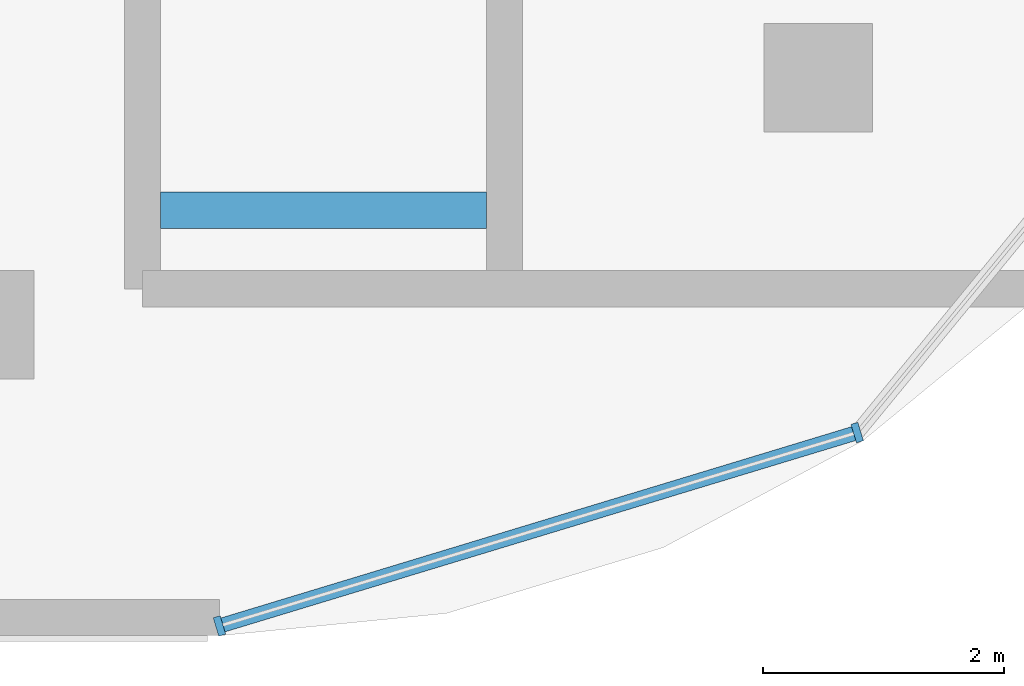
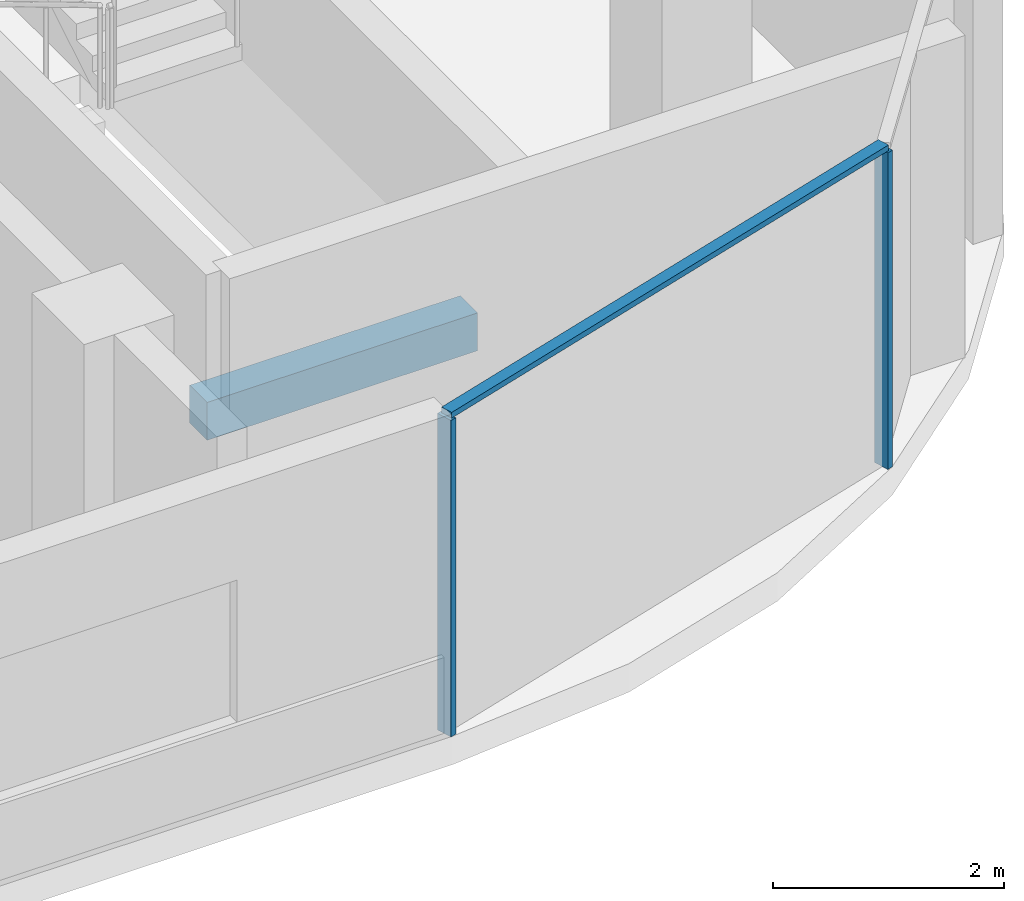
# One storey, part 3 of 18: 3 members, 1 beam, 1 element without a shape of its own.
"""IFC4 building model written with IfcOpenShell, lengths in metres."""

from ifc_helpers import new_model, si_unit, direction, frame, origin, origin_2d, place, context, subcontext, project, spatial, rectangle, extrude, material, material_profile, profile_set, type_object, element, aggregate, save


model = new_model("IFC4")

# Units and contexts
model_context = context("Model", 3, precision=1e-05, world=origin(), true_north=direction((0.0, 1.0)))
body_context = subcontext(model_context, "Body", "Model", "MODEL_VIEW")
ifc_project = project(units=[si_unit("LENGTHUNIT", "METRE"), si_unit("AREAUNIT", "SQUARE_METRE"), si_unit("VOLUMEUNIT", "CUBIC_METRE"), si_unit("PLANEANGLEUNIT", "RADIAN"), si_unit("MASSUNIT", "GRAM", prefix="KILO")], contexts=[model_context])

# Site, building, storey
site_placement = place(None, origin())
site = spatial("IfcSite", under=ifc_project, at=site_placement, CompositionType="ELEMENT")
building_placement = place(site_placement, origin())
building = spatial("IfcBuilding", under=site, at=building_placement, Name="Ogive Portal Towers", CompositionType="ELEMENT")
storey_placement = place(building_placement, frame((0.0, 0.0, 236.5)))
storey = spatial("IfcBuildingStorey", under=building, at=storey_placement, Name="L59", CompositionType="ELEMENT", Elevation=236.5)

# Beam
ifc_material_1 = material(Name="Concrete C40/50", Category="concrete")
ifc_material_profile_1 = material_profile(ifc_material_1, rectangle(XDim=0.300048828125, YDim=0.39990234375, at=origin_2d()), Name="RC 300x400")
ifc_profile_set_1 = profile_set([ifc_material_profile_1], Name="Concrete C40/50")
beam_type = type_object("IfcBeamType", Name="BEAM RC 300x400", PredefinedType="BEAM", material=ifc_profile_set_1)
beam_placement = place(storey_placement, frame((87.0, 22.449951171875, 1.449951171875), z_axis=(1.0, 0.0, 0.0), x_axis=(0.0, 1.0, 0.0)))
element("IfcBeam", 1, at=beam_placement, inside=storey, type_object=beam_type, Name="Landing beam L59", PredefinedType="BEAM", context=body_context, shape_type="SweptSolid", body=[
    extrude(rectangle(XDim=0.300048828125, YDim=0.39990234375, at=origin_2d()), origin(), (0.0, 0.0, 1.0), 2.699951171875),
])

# Curtain wall, members
ifc_material_2 = material(Name="Glass, clear low-iron insulated glazing", Category="glass")
curtain_wall_type = type_object("IfcCurtainWallType", Name="CW FRONT RIBBON 4500", PredefinedType="NOTDEFINED", material=ifc_material_2)
curtain_wall_placement = place(storey_placement, origin())
curtain_wall = element("IfcCurtainWall", 2, at=curtain_wall_placement, inside=storey, type_object=curtain_wall_type, Name="A:L59:f09:cwa", PredefinedType="NOTDEFINED")
ifc_material_3 = material(Name="Aluminium 6063 anodised", Category="aluminium")
ifc_material_profile_2 = material_profile(ifc_material_3, rectangle(XDim=0.159912109375, YDim=0.06005859375, at=origin_2d()), Name="AL 60x160")
ifc_profile_set_2 = profile_set([ifc_material_profile_2], Name="Aluminium 6063 anodised")
member_type_1 = type_object("IfcMemberType", Name="CW MULLION 60x160", PredefinedType="MULLION", material=ifc_profile_set_2)
member_1_placement = place(storey_placement, frame((87.488037109375, 19.0048828125, 0.0), z_axis=(0.0, 0.0, 1.0), x_axis=(-0.290284677254, 0.956940335732, 0.0)))
member_1 = element("IfcMember", 3, at=member_1_placement, type_object=member_type_1, Name="mullion", PredefinedType="MULLION", context=body_context, shape_type="SweptSolid", body=[
    extrude(rectangle(XDim=0.159912109375, YDim=0.06005859375, at=origin_2d()), origin(), (0.0, 0.0, 1.0), 3.340087890625),
])
member_2_placement = place(storey_placement, frame((92.773193359375, 20.608154296875, 0.0), z_axis=(0.0, 0.0, 1.0), x_axis=(-0.290284677254, 0.956940335732, 0.0)))
member_2 = element("IfcMember", 4, at=member_2_placement, type_object=member_type_1, Name="mullion", PredefinedType="MULLION", context=body_context, shape_type="SweptSolid", body=[
    extrude(rectangle(XDim=0.159912109375, YDim=0.06005859375, at=origin_2d()), origin(), (0.0, 0.0, 1.0), 3.340087890625),
])
ifc_material_profile_3 = material_profile(ifc_material_3, rectangle(XDim=0.1201171875, YDim=0.06005859375, at=origin_2d()), Name="AL 120x60")
ifc_profile_set_3 = profile_set([ifc_material_profile_3], Name="Aluminium 6063 anodised")
member_type_2 = type_object("IfcMemberType", Name="CW TRANSOM 60x120", PredefinedType="USERDEFINED", material=ifc_profile_set_3)
member_3_placement = place(storey_placement, frame((87.488037109375, 19.0048828125, 3.3701171875), z_axis=(0.956938481614, 0.290290789392, 0.0), x_axis=(-0.290290789392, 0.956938481614, 0.0)))
member_3 = element("IfcMember", 5, at=member_3_placement, type_object=member_type_2, Name="transom", ObjectType="TRANSOM", PredefinedType="USERDEFINED", context=body_context, shape_type="SweptSolid", body=[
    extrude(rectangle(XDim=0.1201171875, YDim=0.06005859375, at=origin_2d()), origin(), (0.0, 0.0, 1.0), 5.52294921875),
])
aggregate(curtain_wall, [member_3, member_1, member_2])

save(model, "model.ifc")
